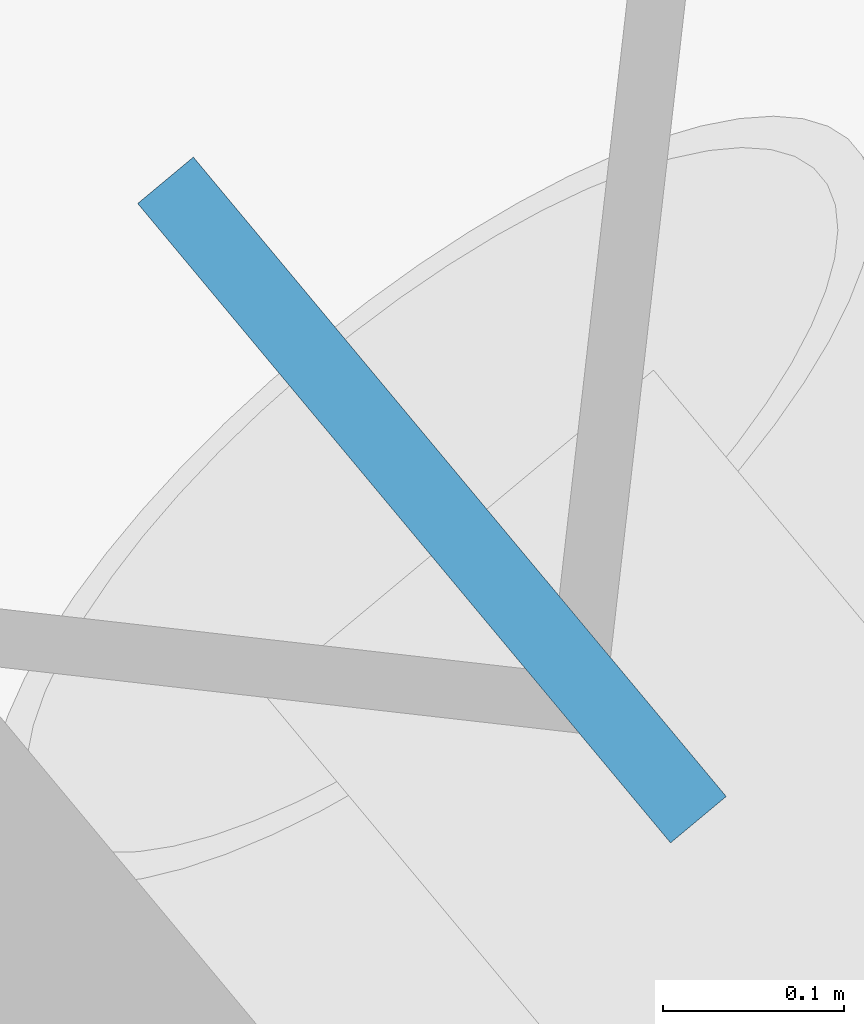
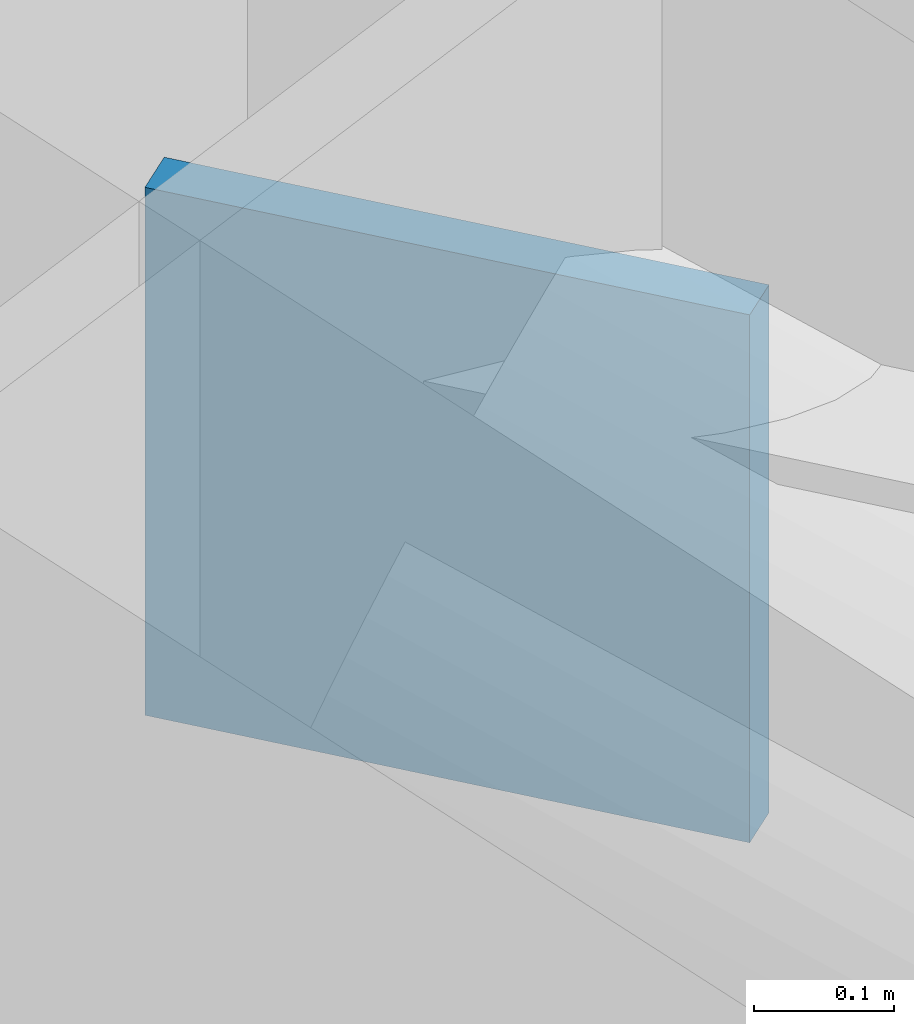
# One storey, part 22 of 23: 1 discrete accessory.
"""IFC4 building model written with IfcOpenShell, lengths in metres."""

from ifc_helpers import new_model, si_unit, direction, frame, origin, origin_2d, place, context, subcontext, project, spatial, rectangle, extrude, material, type_object, element, save


model = new_model("IFC4")

# Units and contexts
model_context = context("Model", 3, precision=1e-05, world=origin(), true_north=direction((0.0, 1.0)))
body_context = subcontext(model_context, "Body", "Model", "MODEL_VIEW")
ifc_project = project(units=[si_unit("LENGTHUNIT", "METRE"), si_unit("AREAUNIT", "SQUARE_METRE"), si_unit("VOLUMEUNIT", "CUBIC_METRE"), si_unit("PLANEANGLEUNIT", "RADIAN"), si_unit("MASSUNIT", "GRAM", prefix="KILO")], contexts=[model_context])

# Site, building, storey
site_placement = place(None, origin())
site = spatial("IfcSite", under=ifc_project, at=site_placement, CompositionType="ELEMENT")
building_placement = place(site_placement, origin())
building = spatial("IfcBuilding", under=site, at=building_placement, Name="Tavrogorsk Clinical Tower", CompositionType="ELEMENT")
storey_placement = place(building_placement, frame((0.0, 0.0, 113.39990234375)))
storey = spatial("IfcBuildingStorey", under=building, at=storey_placement, Name="L25", CompositionType="ELEMENT", Elevation=113.39990234375)

# Discrete accessory
ifc_material = material(Name="Structural steel S440", Category="steel")
discrete_accessory_type = type_object("IfcDiscreteAccessoryType", Name="GussetPlateBracket_25", PredefinedType="BRACKET", material=ifc_material)
discrete_accessory_placement = place(storey_placement, frame((37.2109375, 18.06640625, 2.68310546875), z_axis=(0.0, 0.0, 1.0), x_axis=(-0.640243780506, 0.768171791674, 0.0)))
element("IfcDiscreteAccessory", 1, at=discrete_accessory_placement, inside=storey, type_object=discrete_accessory_type, Name="L25 Brace Gusset Plate EXOCRN-L25-2-B", PredefinedType="BRACKET", context=body_context, shape_type="SweptSolid", body=[
    extrude(rectangle(XDim=0.4599609375, YDim=0.0400390625, at=origin_2d()), origin(), (0.0, 0.0, 1.0), 0.4599609375),
])

save(model, "model.ifc")
